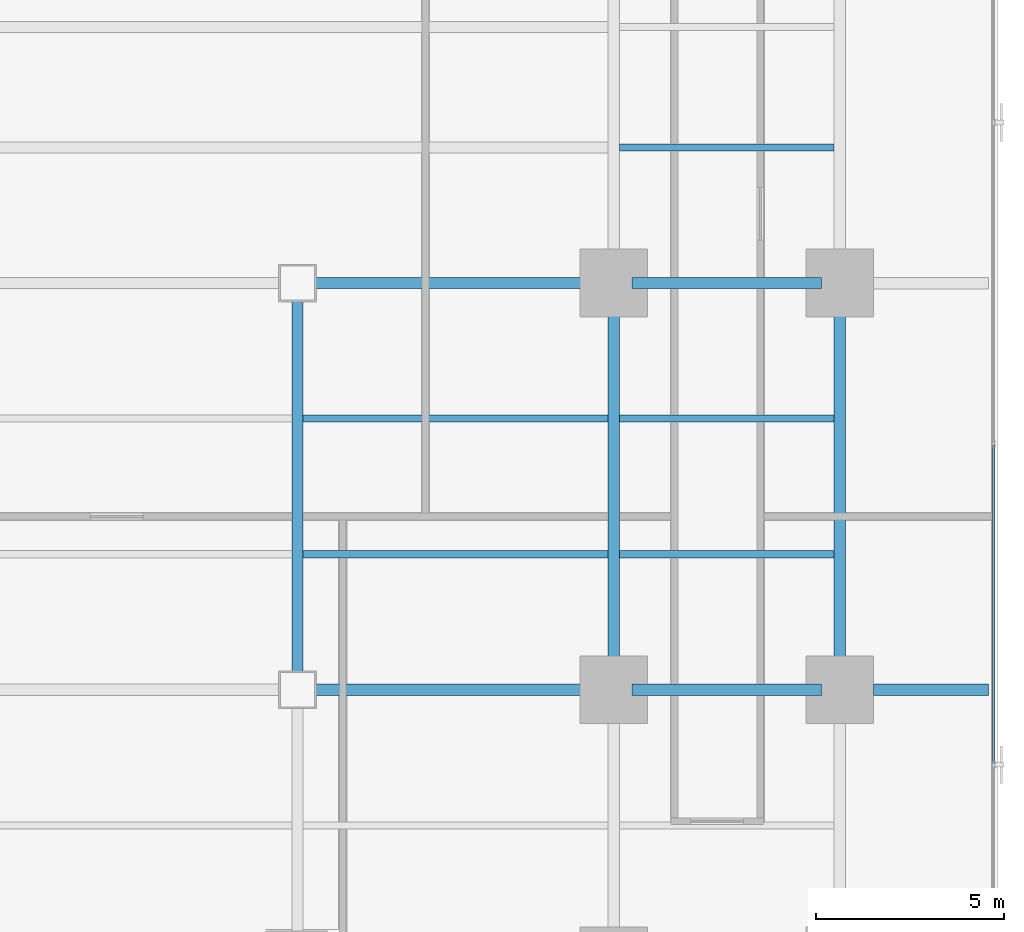
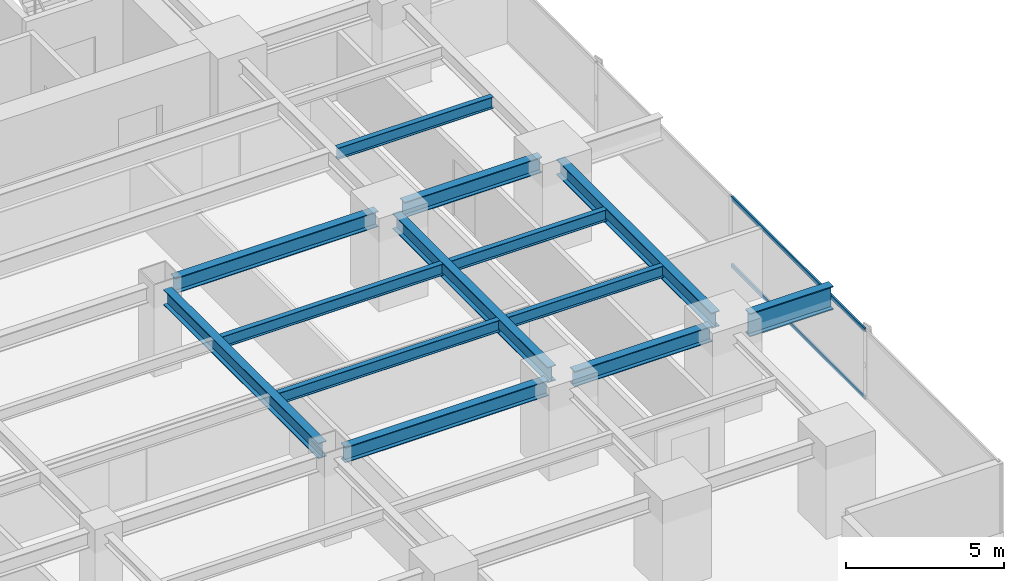
# One storey, part 14 of 33: 13 beams, 2 members, 1 element without a shape of its own.
"""IFC4 building model written with IfcOpenShell, lengths in metres."""

from ifc_helpers import new_model, si_unit, direction, frame, origin, origin_2d, place, context, subcontext, project, spatial, hollow_rectangle, i_section, extrude, source, transform, mapped, material, layer, layer_set, material_profile, profile_set, type_object, element, aggregate, save


model = new_model("IFC4")

# Units and contexts
model_context = context("Model", 3, precision=1e-05, world=origin(), true_north=direction((0.0, 1.0)))
body_context = subcontext(model_context, "Body", "Model", "MODEL_VIEW")
ifc_project = project(units=[si_unit("LENGTHUNIT", "METRE"), si_unit("AREAUNIT", "SQUARE_METRE"), si_unit("VOLUMEUNIT", "CUBIC_METRE"), si_unit("PLANEANGLEUNIT", "RADIAN"), si_unit("MASSUNIT", "GRAM", prefix="KILO")], contexts=[model_context])

# Site, building, storey
site_placement = place(None, origin())
site = spatial("IfcSite", under=ifc_project, at=site_placement, CompositionType="ELEMENT")
building_placement = place(site_placement, origin())
building = spatial("IfcBuilding", under=site, at=building_placement, Name="Sumidabori Civic Tower", CompositionType="ELEMENT")
storey_placement = place(building_placement, frame((0.0, 0.0, 66.800048828125)))
storey = spatial("IfcBuildingStorey", under=building, at=storey_placement, Name="L17", CompositionType="ELEMENT", Elevation=66.800048828125)

# Beams
ifc_material_1 = material(Name="Steel SN490", Category="steel")
ifc_material_profile_1 = material_profile(ifc_material_1, i_section(OverallWidth=0.300048828125, OverallDepth=0.60009765625, WebThickness=0.015380859375, FlangeThickness=0.030029296875, at=origin_2d()), Name="HE 600 B")
ifc_profile_set_1 = profile_set([ifc_material_profile_1], Name="Steel SN490")
beam_type_1 = type_object("IfcBeamType", Name="BM-GIRD-600", PredefinedType="BEAM", material=ifc_profile_set_1)
shared_shape_1 = source(origin(), body_context, "Body", "SweptSolid", [
    extrude(i_section(OverallWidth=0.300048828125, OverallDepth=0.60009765625, WebThickness=0.015380859375, FlangeThickness=0.030029296875, at=origin_2d()), origin(), (0.0, 0.0, 1.0), 5.0400390625),
])
for number, where, z_axis, x_axis, name in (
    (1, (17.280029296875, -10.800048828125, 3.0), (1.0, 0.0, 0.0), (0.0, 1.0, 0.0), "Primary Girder L17 GX-12"),
    (2, (17.280029296875, 0.0, 3.0), (1.0, 0.0, 0.0), (0.0, 1.0, 0.0), "Primary Girder L17 GX-18"),
):
    element("IfcBeam", number, at=place(storey_placement, frame(where, z_axis=z_axis, x_axis=x_axis)), inside=storey, type_object=beam_type_1, Name=name, PredefinedType="BEAM", context=body_context, shape_type="MappedRepresentation", body=[
        mapped(shared_shape_1, transform((0.0, 0.0, 0.0), x_axis=(1.0, 0.0, 0.0), y_axis=(0.0, 1.0, 0.0), z_axis=(0.0, 0.0, 1.0), scale=1.0)),
    ])
shared_shape_2 = source(origin(), body_context, "Body", "SweptSolid", [
    extrude(i_section(OverallWidth=0.300048828125, OverallDepth=0.60009765625, WebThickness=0.015380859375, FlangeThickness=0.030029296875, at=origin_2d()), origin(), (0.0, 0.0, 1.0), 7.440185546875),
])
for number, where, z_axis, x_axis, name in (
    (3, (8.8798828125, -10.800048828125, 3.0), (1.0, 0.0, 0.0), (0.0, 1.0, 0.0), "Primary Girder L17 GX-11"),
    (4, (8.8798828125, 0.0, 3.0), (1.0, 0.0, 0.0), (0.0, 1.0, 0.0), "Primary Girder L17 GX-17"),
):
    element("IfcBeam", number, at=place(storey_placement, frame(where, z_axis=z_axis, x_axis=x_axis)), inside=storey, type_object=beam_type_1, Name=name, PredefinedType="BEAM", context=body_context, shape_type="MappedRepresentation", body=[
        mapped(shared_shape_2, transform((0.0, 0.0, 0.0), x_axis=(1.0, 0.0, 0.0), y_axis=(0.0, 1.0, 0.0), z_axis=(0.0, 0.0, 1.0), scale=1.0)),
    ])
shared_shape_3 = source(origin(), body_context, "Body", "SweptSolid", [
    extrude(i_section(OverallWidth=0.300048828125, OverallDepth=0.60009765625, WebThickness=0.015380859375, FlangeThickness=0.030029296875, at=origin_2d()), origin(), (0.0, 0.0, 1.0), 9.840087890625),
])
for number, where, z_axis, x_axis, name in (
    (5, (8.39990234375, -10.320068359375, 3.0), (0.0, 1.0, 0.0), (-1.0, 0.0, 0.0), "Primary Girder L17 GY-34"),
    (6, (16.800048828125, -10.320068359375, 3.0), (0.0, 1.0, 0.0), (-1.0, 0.0, 0.0), "Primary Girder L17 GY-36"),
    (7, (22.800048828125, -10.320068359375, 3.0), (0.0, 1.0, 0.0), (-1.0, 0.0, 0.0), "Primary Girder L17 GY-40"),
):
    element("IfcBeam", number, at=place(storey_placement, frame(where, z_axis=z_axis, x_axis=x_axis)), inside=storey, type_object=beam_type_1, Name=name, PredefinedType="BEAM", context=body_context, shape_type="MappedRepresentation", body=[
        mapped(shared_shape_3, transform((0.0, 0.0, 0.0), x_axis=(1.0, 0.0, 0.0), y_axis=(0.0, 1.0, 0.0), z_axis=(0.0, 0.0, 1.0), scale=1.0)),
    ])
ifc_material_profile_2 = material_profile(ifc_material_1, i_section(OverallWidth=0.302001953125, OverallDepth=0.909912109375, WebThickness=0.02099609375, FlangeThickness=0.0400390625, at=origin_2d()), Name="HE 900 M")
ifc_profile_set_2 = profile_set([ifc_material_profile_2], Name="Steel SN490")
beam_type_2 = type_object("IfcBeamType", Name="BM-Z1-EDGE", PredefinedType="SPANDREL", material=ifc_profile_set_2)
shared_shape_4 = source(origin(), body_context, "Body", "SweptSolid", [
    extrude(i_section(OverallWidth=0.302001953125, OverallDepth=0.909912109375, WebThickness=0.02099609375, FlangeThickness=0.0400390625, at=origin_2d()), origin(), (0.0, 0.0, 1.0), 3.050048828125),
])
beam_placement = place(storey_placement, frame((23.699951171875, -10.800048828125, 2.844970703125), z_axis=(1.0, 0.0, 0.0), x_axis=(0.0, 1.0, 0.0)))
element("IfcBeam", 8, at=beam_placement, inside=storey, type_object=beam_type_2, Name="Perimeter Overhang Beam L17 E-43", PredefinedType="SPANDREL", context=body_context, shape_type="MappedRepresentation", body=[
    mapped(shared_shape_4, transform((0.0, 0.0, 0.0), x_axis=(1.0, 0.0, 0.0), y_axis=(0.0, 1.0, 0.0), z_axis=(0.0, 0.0, 1.0), scale=1.0)),
])
ifc_material_profile_3 = material_profile(ifc_material_1, i_section(OverallWidth=0.18994140625, OverallDepth=0.449951171875, WebThickness=0.009521484375, FlangeThickness=0.0146484375, at=origin_2d()), Name="IPE 450")
ifc_profile_set_3 = profile_set([ifc_material_profile_3], Name="Steel SN490")
beam_type_3 = type_object("IfcBeamType", Name="BM-JST-450", PredefinedType="JOIST", material=ifc_profile_set_3)
shared_shape_5 = source(origin(), body_context, "Body", "SweptSolid", [
    extrude(i_section(OverallWidth=0.18994140625, OverallDepth=0.449951171875, WebThickness=0.009521484375, FlangeThickness=0.0146484375, at=origin_2d()), origin(), (0.0, 0.0, 1.0), 5.699951171875),
])
for number, where, z_axis, x_axis, name in (
    (9, (16.949951171875, -7.199951171875, 3.074951171875), (1.0, 0.0, 0.0), (0.0, 1.0, 0.0), "Outer Bay Floor Joist L17 JSTO-50"),
    (10, (16.949951171875, -3.60009765625, 3.074951171875), (1.0, 0.0, 0.0), (0.0, 1.0, 0.0), "Outer Bay Floor Joist L17 JSTO-52"),
    (11, (16.949951171875, 3.60009765625, 3.074951171875), (1.0, 0.0, 0.0), (0.0, 1.0, 0.0), "Outer Bay Floor Joist L17 JSTO-54"),
):
    element("IfcBeam", number, at=place(storey_placement, frame(where, z_axis=z_axis, x_axis=x_axis)), inside=storey, type_object=beam_type_3, Name=name, PredefinedType="JOIST", context=body_context, shape_type="MappedRepresentation", body=[
        mapped(shared_shape_5, transform((0.0, 0.0, 0.0), x_axis=(1.0, 0.0, 0.0), y_axis=(0.0, 1.0, 0.0), z_axis=(0.0, 0.0, 1.0), scale=1.0)),
    ])
shared_shape_6 = source(origin(), body_context, "Body", "SweptSolid", [
    extrude(i_section(OverallWidth=0.18994140625, OverallDepth=0.449951171875, WebThickness=0.009521484375, FlangeThickness=0.0146484375, at=origin_2d()), origin(), (0.0, 0.0, 1.0), 8.099853515625),
])
for number, where, z_axis, x_axis, name in (
    (12, (8.550048828125, -7.199951171875, 3.074951171875), (1.0, 0.0, 0.0), (0.0, 1.0, 0.0), "South Bay Floor Joist L17 JSTS-68"),
    (13, (8.550048828125, -3.60009765625, 3.074951171875), (1.0, 0.0, 0.0), (0.0, 1.0, 0.0), "South Bay Floor Joist L17 JSTS-72"),
):
    element("IfcBeam", number, at=place(storey_placement, frame(where, z_axis=z_axis, x_axis=x_axis)), inside=storey, type_object=beam_type_3, Name=name, PredefinedType="JOIST", context=body_context, shape_type="MappedRepresentation", body=[
        mapped(shared_shape_6, transform((0.0, 0.0, 0.0), x_axis=(1.0, 0.0, 0.0), y_axis=(0.0, 1.0, 0.0), z_axis=(0.0, 0.0, 1.0), scale=1.0)),
    ])

# Curtain wall, members
ifc_material_2 = material(Name="Anodised Bronze Aluminium AW-6063-T6", Category="aluminium")
ifc_layer = layer(ifc_material_2, 0.179931640625, Name="Anodised Bronze Aluminium AW-6063-T6")
ifc_layer_set = layer_set([ifc_layer], Name="Anodised Bronze Aluminium AW-6063-T6")
curtain_wall_type = type_object("IfcCurtainWallType", Name="CW-SYS-2", PredefinedType="NOTDEFINED", material=ifc_layer_set)
curtain_wall_placement = place(storey_placement, origin())
curtain_wall = element("IfcCurtainWall", 14, at=curtain_wall_placement, inside=storey, type_object=curtain_wall_type, Name="Curtain Wall CW:L17:R04", PredefinedType="NOTDEFINED")
ifc_material_profile_4 = material_profile(ifc_material_2, hollow_rectangle(XDim=0.06494140625, YDim=0.14990234375, WallThickness=0.0048828125, at=origin_2d()), Name="ALU TRANSOM 150x65")
ifc_profile_set_4 = profile_set([ifc_material_profile_4], Name="Anodised Bronze Aluminium AW-6063-T6")
member_type = type_object("IfcMemberType", Name="CW-TRN-150", PredefinedType="USERDEFINED", material=ifc_profile_set_4)
shared_shape_7 = source(origin(), body_context, "Body", "SweptSolid", [
    extrude(hollow_rectangle(XDim=0.06494140625, YDim=0.14990234375, WallThickness=0.0048828125, at=origin_2d()), origin(), (0.0, 0.0, 1.0), 8.4580078125),
])
member_1_placement = place(storey_placement, frame((26.8798828125, -12.757080078125, 0.032470703125), z_axis=(0.0, 1.0, 0.0), x_axis=(-1.0, 0.0, 0.0)))
member_1 = element("IfcMember", 15, at=member_1_placement, type_object=member_type, Name="CW-2 transom 2.1", ObjectType="TRANSOM", PredefinedType="USERDEFINED", context=body_context, shape_type="MappedRepresentation", body=[
    mapped(shared_shape_7, transform((0.0, 0.0, 0.0), x_axis=(1.0, 0.0, 0.0), y_axis=(0.0, 1.0, 0.0), z_axis=(0.0, 0.0, 1.0), scale=1.0)),
])
member_2_placement = place(storey_placement, frame((26.8798828125, -12.757080078125, 2.6474609375), z_axis=(0.0, 1.0, 0.0), x_axis=(-1.0, 0.0, 0.0)))
member_2 = element("IfcMember", 16, at=member_2_placement, type_object=member_type, Name="CW-2 transom 2.2", ObjectType="TRANSOM", PredefinedType="USERDEFINED", context=body_context, shape_type="MappedRepresentation", body=[
    mapped(shared_shape_7, transform((0.0, 0.0, 0.0), x_axis=(1.0, 0.0, 0.0), y_axis=(0.0, 1.0, 0.0), z_axis=(0.0, 0.0, 1.0), scale=1.0)),
])
aggregate(curtain_wall, [member_1, member_2])

save(model, "model.ifc")
